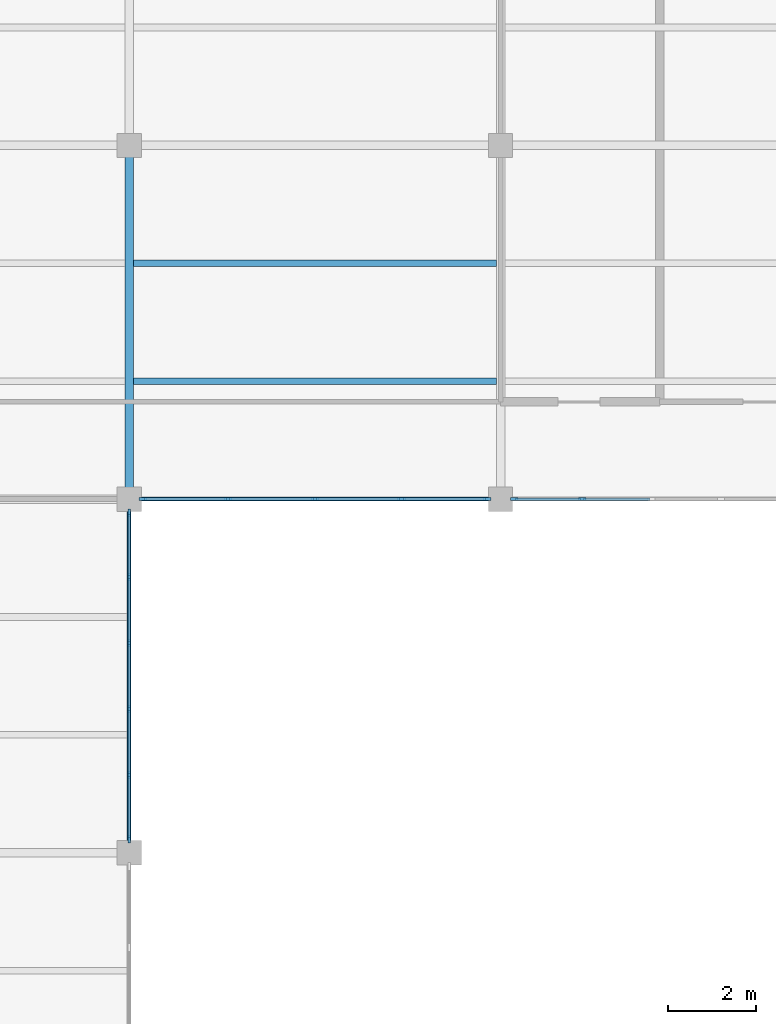
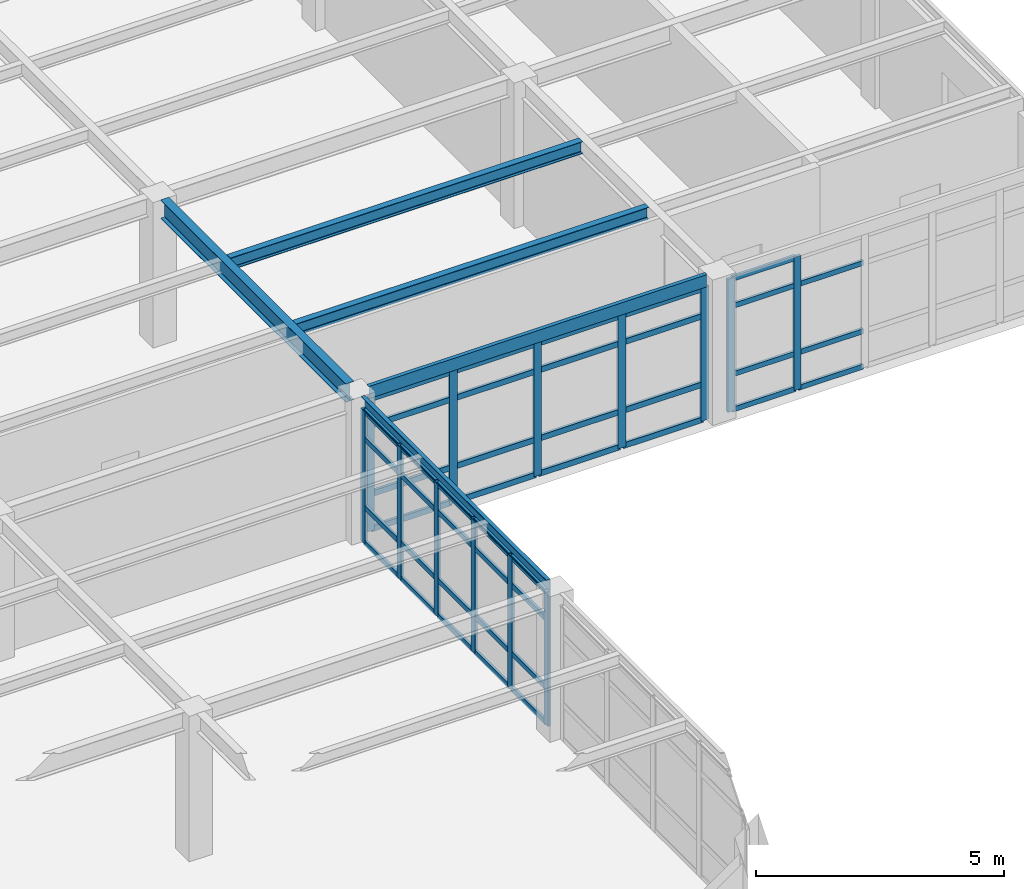
# One storey, part 19 of 53: 56 members, 5 beams, 3 elements without a shape of their own.
"""IFC4 building model written with IfcOpenShell, lengths in metres."""

from ifc_helpers import new_model, si_unit, direction, frame, origin, origin_2d, place, context, subcontext, project, spatial, rectangle, i_section, u_section, extrude, material, layer, layer_set, material_profile, profile_set, type_object, element, aggregate, save


model = new_model("IFC4")

# Units and contexts
model_context = context("Model", 3, precision=1e-05, world=origin(), true_north=direction((0.0, 1.0)))
body_context = subcontext(model_context, "Body", "Model", "MODEL_VIEW")
ifc_project = project(units=[si_unit("LENGTHUNIT", "METRE"), si_unit("AREAUNIT", "SQUARE_METRE"), si_unit("VOLUMEUNIT", "CUBIC_METRE"), si_unit("PLANEANGLEUNIT", "RADIAN"), si_unit("MASSUNIT", "GRAM", prefix="KILO")], contexts=[model_context])

# Site, building, storey
site_placement = place(None, origin())
site = spatial("IfcSite", under=ifc_project, at=site_placement, CompositionType="ELEMENT")
building_placement = place(site_placement, origin())
building = spatial("IfcBuilding", under=site, at=building_placement, Name="Kranzveld Transit Interchange", CompositionType="ELEMENT")
storey_placement = place(building_placement, frame((0.0, 0.0, 13.360107421875)))
storey = spatial("IfcBuildingStorey", under=building, at=storey_placement, Name="L03", CompositionType="ELEMENT", Elevation=13.360107421875)

# Beam
ifc_material_1 = material(Name="Steel S355JR", Category="steel")
ifc_material_profile_1 = material_profile(ifc_material_1, i_section(OverallWidth=0.18994140625, OverallDepth=0.453369140625, WebThickness=0.008544921875, FlangeThickness=0.0126953125, FilletRadius=0.01025390625, at=origin_2d()), Name="UB 457x191x67")
ifc_profile_set_1 = profile_set([ifc_material_profile_1], Name="Steel S355JR")
beam_type_1 = type_object("IfcBeamType", Name="Beam Steel UB 457x191x67 S355JR", PredefinedType="BEAM", material=ifc_profile_set_1)
beam_1_placement = place(storey_placement, frame((33.60009765625, 88.264892578125, 3.353271484375), z_axis=(0.0, 1.0, 0.0), x_axis=(-1.0, 0.0, 0.0)))
element("IfcBeam", 1, at=beam_1_placement, inside=storey, type_object=beam_type_1, Name="L03 Girder 05/M-N", PredefinedType="BEAM", context=body_context, shape_type="SweptSolid", body=[
    extrude(i_section(OverallWidth=0.18994140625, OverallDepth=0.453369140625, WebThickness=0.008544921875, FlangeThickness=0.0126953125, FilletRadius=0.01025390625, at=origin_2d()), origin(), (0.0, 0.0, 1.0), 7.47021484375),
])

# Curtain wall, members
ifc_material_2 = material(Name="Bronze-anodised thermally broken aluminium", Category="aluminium")
ifc_layer_1 = layer(ifc_material_2, 0.155029296875)
ifc_layer_set_1 = layer_set([ifc_layer_1], Name="Bronze-anodised thermally broken aluminium")
curtain_wall_type_1 = type_object("IfcCurtainWallType", Name="Operations Courtyard Glazed Screen CW-6", PredefinedType="USERDEFINED", material=ifc_layer_set_1)
curtain_wall_1_placement = place(storey_placement, origin())
curtain_wall_1 = element("IfcCurtainWall", 2, at=curtain_wall_1_placement, inside=storey, type_object=curtain_wall_type_1, Name="L03 Curtain Wall 06/M-07/M", ObjectType="CURTAIN WALL", PredefinedType="USERDEFINED")
ifc_material_3 = material(Name="Bronze-anodised thermally broken aluminium", Category="aluminium")
ifc_material_profile_2 = material_profile(ifc_material_3, rectangle(XDim=0.06494140625, YDim=0.1650390625, at=origin_2d()), Name="ALU MULLION 65x165")
ifc_profile_set_2 = profile_set([ifc_material_profile_2], Name="Bronze-anodised thermally broken aluminium")
member_type_1 = type_object("IfcMemberType", Name="Curtain Wall Mullion 65x165 Alu", PredefinedType="MULLION", material=ifc_profile_set_2)
member_1_placement = place(storey_placement, frame((42.3076171875, 88.0, 0.0), z_axis=(0.0, 0.0, 1.0), x_axis=(0.0, 1.0, 0.0)))
member_1 = element("IfcMember", 3, at=member_1_placement, type_object=member_type_1, Name="CW-6 mullion 1", PredefinedType="MULLION", context=body_context, shape_type="SweptSolid", body=[
    extrude(rectangle(XDim=0.06494140625, YDim=0.1650390625, at=origin_2d()), origin(), (0.0, 0.0, 1.0), 3.27978515625),
])
member_2_placement = place(storey_placement, frame((43.844970703125, 88.0, 0.0), z_axis=(0.0, 0.0, 1.0), x_axis=(0.0, 1.0, 0.0)))
member_2 = element("IfcMember", 4, at=member_2_placement, type_object=member_type_1, Name="CW-6 mullion 2", PredefinedType="MULLION", context=body_context, shape_type="SweptSolid", body=[
    extrude(rectangle(XDim=0.06494140625, YDim=0.1650390625, at=origin_2d()), origin(), (0.0, 0.0, 1.0), 3.27978515625),
])

ifc_material_4 = material(Name="Bronze-anodised thermally broken aluminium", Category="aluminium")
ifc_layer_2 = layer(ifc_material_4, 0.1650390625)
ifc_layer_set_2 = layer_set([ifc_layer_2], Name="Bronze-anodised thermally broken aluminium")
curtain_wall_type_2 = type_object("IfcCurtainWallType", Name="Sunny Court Arcade Curtain Wall CW-2", PredefinedType="USERDEFINED", material=ifc_layer_set_2)
curtain_wall_2_placement = place(storey_placement, origin())
curtain_wall_2 = element("IfcCurtainWall", 5, at=curtain_wall_2_placement, inside=storey, type_object=curtain_wall_type_2, Name="L03 Curtain Wall 05/L-05/M", ObjectType="CURTAIN WALL", PredefinedType="USERDEFINED")
member_3_placement = place(storey_placement, frame((33.60009765625, 80.3076171875, 0.0), z_axis=(0.0, 0.0, 1.0), x_axis=(-1.0, 0.0, 0.0)))
member_3 = element("IfcMember", 6, at=member_3_placement, type_object=member_type_1, Name="CW-2 mullion 1", PredefinedType="MULLION", context=body_context, shape_type="SweptSolid", body=[
    extrude(rectangle(XDim=0.06494140625, YDim=0.1650390625, at=origin_2d()), origin(), (0.0, 0.0, 1.0), 3.27978515625),
])
member_4_placement = place(storey_placement, frame((33.60009765625, 81.764892578125, 0.0), z_axis=(0.0, 0.0, 1.0), x_axis=(-1.0, 0.0, 0.0)))
member_4 = element("IfcMember", 7, at=member_4_placement, type_object=member_type_1, Name="CW-2 mullion 2", PredefinedType="MULLION", context=body_context, shape_type="SweptSolid", body=[
    extrude(rectangle(XDim=0.06494140625, YDim=0.1650390625, at=origin_2d()), origin(), (0.0, 0.0, 1.0), 3.27978515625),
])
member_5_placement = place(storey_placement, frame((33.60009765625, 83.2548828125, 0.0), z_axis=(0.0, 0.0, 1.0), x_axis=(-1.0, 0.0, 0.0)))
member_5 = element("IfcMember", 8, at=member_5_placement, type_object=member_type_1, Name="CW-2 mullion 3", PredefinedType="MULLION", context=body_context, shape_type="SweptSolid", body=[
    extrude(rectangle(XDim=0.06494140625, YDim=0.1650390625, at=origin_2d()), origin(), (0.0, 0.0, 1.0), 3.27978515625),
])
member_6_placement = place(storey_placement, frame((33.60009765625, 84.7451171875, 0.0), z_axis=(0.0, 0.0, 1.0), x_axis=(-1.0, 0.0, 0.0)))
member_6 = element("IfcMember", 9, at=member_6_placement, type_object=member_type_1, Name="CW-2 mullion 4", PredefinedType="MULLION", context=body_context, shape_type="SweptSolid", body=[
    extrude(rectangle(XDim=0.06494140625, YDim=0.1650390625, at=origin_2d()), origin(), (0.0, 0.0, 1.0), 3.27978515625),
])
member_7_placement = place(storey_placement, frame((33.60009765625, 86.235107421875, 0.0), z_axis=(0.0, 0.0, 1.0), x_axis=(-1.0, 0.0, 0.0)))
member_7 = element("IfcMember", 10, at=member_7_placement, type_object=member_type_1, Name="CW-2 mullion 5", PredefinedType="MULLION", context=body_context, shape_type="SweptSolid", body=[
    extrude(rectangle(XDim=0.06494140625, YDim=0.1650390625, at=origin_2d()), origin(), (0.0, 0.0, 1.0), 3.27978515625),
])
member_8_placement = place(storey_placement, frame((33.60009765625, 87.6923828125, 0.0), z_axis=(0.0, 0.0, 1.0), x_axis=(-1.0, 0.0, 0.0)))
member_8 = element("IfcMember", 11, at=member_8_placement, type_object=member_type_1, Name="CW-2 mullion 6", PredefinedType="MULLION", context=body_context, shape_type="SweptSolid", body=[
    extrude(rectangle(XDim=0.06494140625, YDim=0.1650390625, at=origin_2d()), origin(), (0.0, 0.0, 1.0), 3.27978515625),
])

ifc_material_5 = material(Name="Bronze-anodised thermally broken aluminium", Category="aluminium")
ifc_layer_3 = layer(ifc_material_5, 0.18505859375)
ifc_layer_set_3 = layer_set([ifc_layer_3], Name="Bronze-anodised thermally broken aluminium")
curtain_wall_type_3 = type_object("IfcCurtainWallType", Name="Control Crown Observation Facade CW-5", PredefinedType="USERDEFINED", material=ifc_layer_set_3)
curtain_wall_3_placement = place(storey_placement, origin())
curtain_wall_3 = element("IfcCurtainWall", 12, at=curtain_wall_3_placement, inside=storey, type_object=curtain_wall_type_3, Name="L03 Curtain Wall 05/M-06/M", ObjectType="CURTAIN WALL", PredefinedType="USERDEFINED")
ifc_material_6 = material(Name="Bronze-anodised thermally broken aluminium", Category="aluminium")
ifc_material_profile_3 = material_profile(ifc_material_6, rectangle(XDim=0.06494140625, YDim=0.179931640625, at=origin_2d()), Name="ALU MULLION 65x180")
ifc_profile_set_3 = profile_set([ifc_material_profile_3], Name="Bronze-anodised thermally broken aluminium")
member_type_2 = type_object("IfcMemberType", Name="Curtain Wall Mullion 65x180 Alu", PredefinedType="MULLION", material=ifc_profile_set_3)
member_9_placement = place(storey_placement, frame((33.907470703125, 88.0, 0.0), z_axis=(0.0, 0.0, 1.0), x_axis=(0.0, 1.0, 0.0)))
member_9 = element("IfcMember", 13, at=member_9_placement, type_object=member_type_2, Name="CW-5 mullion 1", PredefinedType="MULLION", context=body_context, shape_type="SweptSolid", body=[
    extrude(rectangle(XDim=0.06494140625, YDim=0.179931640625, at=origin_2d()), origin(), (0.0, 0.0, 1.0), 3.27978515625),
])
member_10_placement = place(storey_placement, frame((35.83740234375, 88.0, 0.0), z_axis=(0.0, 0.0, 1.0), x_axis=(0.0, 1.0, 0.0)))
member_10 = element("IfcMember", 14, at=member_10_placement, type_object=member_type_2, Name="CW-5 mullion 2", PredefinedType="MULLION", context=body_context, shape_type="SweptSolid", body=[
    extrude(rectangle(XDim=0.06494140625, YDim=0.179931640625, at=origin_2d()), origin(), (0.0, 0.0, 1.0), 3.27978515625),
])
member_11_placement = place(storey_placement, frame((37.800048828125, 88.0, 0.0), z_axis=(0.0, 0.0, 1.0), x_axis=(0.0, 1.0, 0.0)))
member_11 = element("IfcMember", 15, at=member_11_placement, type_object=member_type_2, Name="CW-5 mullion 3", PredefinedType="MULLION", context=body_context, shape_type="SweptSolid", body=[
    extrude(rectangle(XDim=0.06494140625, YDim=0.179931640625, at=origin_2d()), origin(), (0.0, 0.0, 1.0), 3.27978515625),
])
member_12_placement = place(storey_placement, frame((39.762451171875, 88.0, 0.0), z_axis=(0.0, 0.0, 1.0), x_axis=(0.0, 1.0, 0.0)))
member_12 = element("IfcMember", 16, at=member_12_placement, type_object=member_type_2, Name="CW-5 mullion 4", PredefinedType="MULLION", context=body_context, shape_type="SweptSolid", body=[
    extrude(rectangle(XDim=0.06494140625, YDim=0.179931640625, at=origin_2d()), origin(), (0.0, 0.0, 1.0), 3.27978515625),
])
member_13_placement = place(storey_placement, frame((41.6923828125, 88.0, 0.0), z_axis=(0.0, 0.0, 1.0), x_axis=(0.0, 1.0, 0.0)))
member_13 = element("IfcMember", 17, at=member_13_placement, type_object=member_type_2, Name="CW-5 mullion 5", PredefinedType="MULLION", context=body_context, shape_type="SweptSolid", body=[
    extrude(rectangle(XDim=0.06494140625, YDim=0.179931640625, at=origin_2d()), origin(), (0.0, 0.0, 1.0), 3.27978515625),
])

# Member
ifc_material_7 = material(Name="Bronze-anodised thermally broken aluminium", Category="aluminium")
ifc_material_profile_4 = material_profile(ifc_material_7, rectangle(XDim=0.06005859375, YDim=0.125, at=origin_2d()), Name="ALU TRANSOM 60x125")
ifc_profile_set_4 = profile_set([ifc_material_profile_4], Name="Bronze-anodised thermally broken aluminium")
member_type_3 = type_object("IfcMemberType", Name="Curtain Wall Transom 60x125 Alu", PredefinedType="USERDEFINED", material=ifc_profile_set_4)
member_14_placement = place(storey_placement, frame((42.340087890625, 88.0, 0.02978515625), z_axis=(1.0, 0.0, 0.0), x_axis=(0.0, 1.0, 0.0)))
member_14 = element("IfcMember", 18, at=member_14_placement, type_object=member_type_3, Name="CW-6 transom 1.1", ObjectType="TRANSOM", PredefinedType="USERDEFINED", context=body_context, shape_type="SweptSolid", body=[
    extrude(rectangle(XDim=0.06005859375, YDim=0.125, at=origin_2d()), origin(), (0.0, 0.0, 1.0), 1.472412109375),
])

member_15_placement = place(storey_placement, frame((42.340087890625, 88.0, 0.89990234375), z_axis=(1.0, 0.0, 0.0), x_axis=(0.0, 1.0, 0.0)))
member_15 = element("IfcMember", 19, at=member_15_placement, type_object=member_type_3, Name="CW-6 transom 1.2", ObjectType="TRANSOM", PredefinedType="USERDEFINED", context=body_context, shape_type="SweptSolid", body=[
    extrude(rectangle(XDim=0.06005859375, YDim=0.125, at=origin_2d()), origin(), (0.0, 0.0, 1.0), 1.472412109375),
])

member_16_placement = place(storey_placement, frame((42.340087890625, 88.0, 2.579833984375), z_axis=(1.0, 0.0, 0.0), x_axis=(0.0, 1.0, 0.0)))
member_16 = element("IfcMember", 20, at=member_16_placement, type_object=member_type_3, Name="CW-6 transom 1.3", ObjectType="TRANSOM", PredefinedType="USERDEFINED", context=body_context, shape_type="SweptSolid", body=[
    extrude(rectangle(XDim=0.06005859375, YDim=0.125, at=origin_2d()), origin(), (0.0, 0.0, 1.0), 1.472412109375),
])

member_17_placement = place(storey_placement, frame((42.340087890625, 88.0, 3.25), z_axis=(1.0, 0.0, 0.0), x_axis=(0.0, 1.0, 0.0)))
member_17 = element("IfcMember", 21, at=member_17_placement, type_object=member_type_3, Name="CW-6 transom 1.4", ObjectType="TRANSOM", PredefinedType="USERDEFINED", context=body_context, shape_type="SweptSolid", body=[
    extrude(rectangle(XDim=0.06005859375, YDim=0.125, at=origin_2d()), origin(), (0.0, 0.0, 1.0), 1.472412109375),
])

member_18_placement = place(storey_placement, frame((43.87744140625, 88.0, 0.02978515625), z_axis=(1.0, 0.0, 0.0), x_axis=(0.0, 1.0, 0.0)))
member_18 = element("IfcMember", 22, at=member_18_placement, type_object=member_type_3, Name="CW-6 transom 2.1", ObjectType="TRANSOM", PredefinedType="USERDEFINED", context=body_context, shape_type="SweptSolid", body=[
    extrude(rectangle(XDim=0.06005859375, YDim=0.125, at=origin_2d()), origin(), (0.0, 0.0, 1.0), 1.505126953125),
])

member_19_placement = place(storey_placement, frame((43.87744140625, 88.0, 0.89990234375), z_axis=(1.0, 0.0, 0.0), x_axis=(0.0, 1.0, 0.0)))
member_19 = element("IfcMember", 23, at=member_19_placement, type_object=member_type_3, Name="CW-6 transom 2.2", ObjectType="TRANSOM", PredefinedType="USERDEFINED", context=body_context, shape_type="SweptSolid", body=[
    extrude(rectangle(XDim=0.06005859375, YDim=0.125, at=origin_2d()), origin(), (0.0, 0.0, 1.0), 1.505126953125),
])

member_20_placement = place(storey_placement, frame((43.87744140625, 88.0, 2.579833984375), z_axis=(1.0, 0.0, 0.0), x_axis=(0.0, 1.0, 0.0)))
member_20 = element("IfcMember", 24, at=member_20_placement, type_object=member_type_3, Name="CW-6 transom 2.3", ObjectType="TRANSOM", PredefinedType="USERDEFINED", context=body_context, shape_type="SweptSolid", body=[
    extrude(rectangle(XDim=0.06005859375, YDim=0.125, at=origin_2d()), origin(), (0.0, 0.0, 1.0), 1.505126953125),
])

aggregate(curtain_wall_1, [member_1, member_2, member_14, member_15, member_16, member_17, member_18, member_19, member_20])

member_21_placement = place(storey_placement, frame((33.60009765625, 80.340087890625, 0.02978515625), z_axis=(0.0, 1.0, 0.0), x_axis=(-1.0, 0.0, 0.0)))
member_21 = element("IfcMember", 25, at=member_21_placement, type_object=member_type_3, Name="CW-2 transom 1.1", ObjectType="TRANSOM", PredefinedType="USERDEFINED", context=body_context, shape_type="SweptSolid", body=[
    extrude(rectangle(XDim=0.06005859375, YDim=0.125, at=origin_2d()), origin(), (0.0, 0.0, 1.0), 1.392333984375),
])

member_22_placement = place(storey_placement, frame((33.60009765625, 80.340087890625, 0.89990234375), z_axis=(0.0, 1.0, 0.0), x_axis=(-1.0, 0.0, 0.0)))
member_22 = element("IfcMember", 26, at=member_22_placement, type_object=member_type_3, Name="CW-2 transom 1.2", ObjectType="TRANSOM", PredefinedType="USERDEFINED", context=body_context, shape_type="SweptSolid", body=[
    extrude(rectangle(XDim=0.06005859375, YDim=0.125, at=origin_2d()), origin(), (0.0, 0.0, 1.0), 1.392333984375),
])

member_23_placement = place(storey_placement, frame((33.60009765625, 80.340087890625, 2.579833984375), z_axis=(0.0, 1.0, 0.0), x_axis=(-1.0, 0.0, 0.0)))
member_23 = element("IfcMember", 27, at=member_23_placement, type_object=member_type_3, Name="CW-2 transom 1.3", ObjectType="TRANSOM", PredefinedType="USERDEFINED", context=body_context, shape_type="SweptSolid", body=[
    extrude(rectangle(XDim=0.06005859375, YDim=0.125, at=origin_2d()), origin(), (0.0, 0.0, 1.0), 1.392333984375),
])

member_24_placement = place(storey_placement, frame((33.60009765625, 80.340087890625, 3.25), z_axis=(0.0, 1.0, 0.0), x_axis=(-1.0, 0.0, 0.0)))
member_24 = element("IfcMember", 28, at=member_24_placement, type_object=member_type_3, Name="CW-2 transom 1.4", ObjectType="TRANSOM", PredefinedType="USERDEFINED", context=body_context, shape_type="SweptSolid", body=[
    extrude(rectangle(XDim=0.06005859375, YDim=0.125, at=origin_2d()), origin(), (0.0, 0.0, 1.0), 1.392333984375),
])

member_25_placement = place(storey_placement, frame((33.60009765625, 81.797607421875, 0.02978515625), z_axis=(0.0, 1.0, 0.0), x_axis=(-1.0, 0.0, 0.0)))
member_25 = element("IfcMember", 29, at=member_25_placement, type_object=member_type_3, Name="CW-2 transom 2.1", ObjectType="TRANSOM", PredefinedType="USERDEFINED", context=body_context, shape_type="SweptSolid", body=[
    extrude(rectangle(XDim=0.06005859375, YDim=0.125, at=origin_2d()), origin(), (0.0, 0.0, 1.0), 1.4248046875),
])

member_26_placement = place(storey_placement, frame((33.60009765625, 81.797607421875, 0.89990234375), z_axis=(0.0, 1.0, 0.0), x_axis=(-1.0, 0.0, 0.0)))
member_26 = element("IfcMember", 30, at=member_26_placement, type_object=member_type_3, Name="CW-2 transom 2.2", ObjectType="TRANSOM", PredefinedType="USERDEFINED", context=body_context, shape_type="SweptSolid", body=[
    extrude(rectangle(XDim=0.06005859375, YDim=0.125, at=origin_2d()), origin(), (0.0, 0.0, 1.0), 1.4248046875),
])

member_27_placement = place(storey_placement, frame((33.60009765625, 81.797607421875, 2.579833984375), z_axis=(0.0, 1.0, 0.0), x_axis=(-1.0, 0.0, 0.0)))
member_27 = element("IfcMember", 31, at=member_27_placement, type_object=member_type_3, Name="CW-2 transom 2.3", ObjectType="TRANSOM", PredefinedType="USERDEFINED", context=body_context, shape_type="SweptSolid", body=[
    extrude(rectangle(XDim=0.06005859375, YDim=0.125, at=origin_2d()), origin(), (0.0, 0.0, 1.0), 1.4248046875),
])

member_28_placement = place(storey_placement, frame((33.60009765625, 81.797607421875, 3.25), z_axis=(0.0, 1.0, 0.0), x_axis=(-1.0, 0.0, 0.0)))
member_28 = element("IfcMember", 32, at=member_28_placement, type_object=member_type_3, Name="CW-2 transom 2.4", ObjectType="TRANSOM", PredefinedType="USERDEFINED", context=body_context, shape_type="SweptSolid", body=[
    extrude(rectangle(XDim=0.06005859375, YDim=0.125, at=origin_2d()), origin(), (0.0, 0.0, 1.0), 1.4248046875),
])

member_29_placement = place(storey_placement, frame((33.60009765625, 83.28759765625, 0.02978515625), z_axis=(0.0, 1.0, 0.0), x_axis=(-1.0, 0.0, 0.0)))
member_29 = element("IfcMember", 33, at=member_29_placement, type_object=member_type_3, Name="CW-2 transom 3.1", ObjectType="TRANSOM", PredefinedType="USERDEFINED", context=body_context, shape_type="SweptSolid", body=[
    extrude(rectangle(XDim=0.06005859375, YDim=0.125, at=origin_2d()), origin(), (0.0, 0.0, 1.0), 1.4248046875),
])

member_30_placement = place(storey_placement, frame((33.60009765625, 83.28759765625, 0.89990234375), z_axis=(0.0, 1.0, 0.0), x_axis=(-1.0, 0.0, 0.0)))
member_30 = element("IfcMember", 34, at=member_30_placement, type_object=member_type_3, Name="CW-2 transom 3.2", ObjectType="TRANSOM", PredefinedType="USERDEFINED", context=body_context, shape_type="SweptSolid", body=[
    extrude(rectangle(XDim=0.06005859375, YDim=0.125, at=origin_2d()), origin(), (0.0, 0.0, 1.0), 1.4248046875),
])

member_31_placement = place(storey_placement, frame((33.60009765625, 83.28759765625, 2.579833984375), z_axis=(0.0, 1.0, 0.0), x_axis=(-1.0, 0.0, 0.0)))
member_31 = element("IfcMember", 35, at=member_31_placement, type_object=member_type_3, Name="CW-2 transom 3.3", ObjectType="TRANSOM", PredefinedType="USERDEFINED", context=body_context, shape_type="SweptSolid", body=[
    extrude(rectangle(XDim=0.06005859375, YDim=0.125, at=origin_2d()), origin(), (0.0, 0.0, 1.0), 1.4248046875),
])

member_32_placement = place(storey_placement, frame((33.60009765625, 83.28759765625, 3.25), z_axis=(0.0, 1.0, 0.0), x_axis=(-1.0, 0.0, 0.0)))
member_32 = element("IfcMember", 36, at=member_32_placement, type_object=member_type_3, Name="CW-2 transom 3.4", ObjectType="TRANSOM", PredefinedType="USERDEFINED", context=body_context, shape_type="SweptSolid", body=[
    extrude(rectangle(XDim=0.06005859375, YDim=0.125, at=origin_2d()), origin(), (0.0, 0.0, 1.0), 1.4248046875),
])

member_33_placement = place(storey_placement, frame((33.60009765625, 84.777587890625, 0.02978515625), z_axis=(0.0, 1.0, 0.0), x_axis=(-1.0, 0.0, 0.0)))
member_33 = element("IfcMember", 37, at=member_33_placement, type_object=member_type_3, Name="CW-2 transom 4.1", ObjectType="TRANSOM", PredefinedType="USERDEFINED", context=body_context, shape_type="SweptSolid", body=[
    extrude(rectangle(XDim=0.06005859375, YDim=0.125, at=origin_2d()), origin(), (0.0, 0.0, 1.0), 1.4248046875),
])

member_34_placement = place(storey_placement, frame((33.60009765625, 84.777587890625, 0.89990234375), z_axis=(0.0, 1.0, 0.0), x_axis=(-1.0, 0.0, 0.0)))
member_34 = element("IfcMember", 38, at=member_34_placement, type_object=member_type_3, Name="CW-2 transom 4.2", ObjectType="TRANSOM", PredefinedType="USERDEFINED", context=body_context, shape_type="SweptSolid", body=[
    extrude(rectangle(XDim=0.06005859375, YDim=0.125, at=origin_2d()), origin(), (0.0, 0.0, 1.0), 1.4248046875),
])

member_35_placement = place(storey_placement, frame((33.60009765625, 84.777587890625, 2.579833984375), z_axis=(0.0, 1.0, 0.0), x_axis=(-1.0, 0.0, 0.0)))
member_35 = element("IfcMember", 39, at=member_35_placement, type_object=member_type_3, Name="CW-2 transom 4.3", ObjectType="TRANSOM", PredefinedType="USERDEFINED", context=body_context, shape_type="SweptSolid", body=[
    extrude(rectangle(XDim=0.06005859375, YDim=0.125, at=origin_2d()), origin(), (0.0, 0.0, 1.0), 1.4248046875),
])

member_36_placement = place(storey_placement, frame((33.60009765625, 84.777587890625, 3.25), z_axis=(0.0, 1.0, 0.0), x_axis=(-1.0, 0.0, 0.0)))
member_36 = element("IfcMember", 40, at=member_36_placement, type_object=member_type_3, Name="CW-2 transom 4.4", ObjectType="TRANSOM", PredefinedType="USERDEFINED", context=body_context, shape_type="SweptSolid", body=[
    extrude(rectangle(XDim=0.06005859375, YDim=0.125, at=origin_2d()), origin(), (0.0, 0.0, 1.0), 1.4248046875),
])

member_37_placement = place(storey_placement, frame((33.60009765625, 86.267578125, 0.02978515625), z_axis=(0.0, 1.0, 0.0), x_axis=(-1.0, 0.0, 0.0)))
member_37 = element("IfcMember", 41, at=member_37_placement, type_object=member_type_3, Name="CW-2 transom 5.1", ObjectType="TRANSOM", PredefinedType="USERDEFINED", context=body_context, shape_type="SweptSolid", body=[
    extrude(rectangle(XDim=0.06005859375, YDim=0.125, at=origin_2d()), origin(), (0.0, 0.0, 1.0), 1.392333984375),
])

member_38_placement = place(storey_placement, frame((33.60009765625, 86.267578125, 0.89990234375), z_axis=(0.0, 1.0, 0.0), x_axis=(-1.0, 0.0, 0.0)))
member_38 = element("IfcMember", 42, at=member_38_placement, type_object=member_type_3, Name="CW-2 transom 5.2", ObjectType="TRANSOM", PredefinedType="USERDEFINED", context=body_context, shape_type="SweptSolid", body=[
    extrude(rectangle(XDim=0.06005859375, YDim=0.125, at=origin_2d()), origin(), (0.0, 0.0, 1.0), 1.392333984375),
])

member_39_placement = place(storey_placement, frame((33.60009765625, 86.267578125, 2.579833984375), z_axis=(0.0, 1.0, 0.0), x_axis=(-1.0, 0.0, 0.0)))
member_39 = element("IfcMember", 43, at=member_39_placement, type_object=member_type_3, Name="CW-2 transom 5.3", ObjectType="TRANSOM", PredefinedType="USERDEFINED", context=body_context, shape_type="SweptSolid", body=[
    extrude(rectangle(XDim=0.06005859375, YDim=0.125, at=origin_2d()), origin(), (0.0, 0.0, 1.0), 1.392333984375),
])

member_40_placement = place(storey_placement, frame((33.60009765625, 86.267578125, 3.25), z_axis=(0.0, 1.0, 0.0), x_axis=(-1.0, 0.0, 0.0)))
member_40 = element("IfcMember", 44, at=member_40_placement, type_object=member_type_3, Name="CW-2 transom 5.4", ObjectType="TRANSOM", PredefinedType="USERDEFINED", context=body_context, shape_type="SweptSolid", body=[
    extrude(rectangle(XDim=0.06005859375, YDim=0.125, at=origin_2d()), origin(), (0.0, 0.0, 1.0), 1.392333984375),
])

aggregate(curtain_wall_2, [member_3, member_4, member_5, member_6, member_7, member_8, member_21, member_22, member_23, member_24, member_25, member_26, member_27, member_28, member_29, member_30, member_31, member_32, member_33, member_34, member_35, member_36, member_37, member_38, member_39, member_40])

ifc_material_8 = material(Name="Bronze-anodised thermally broken aluminium", Category="aluminium")
ifc_material_profile_5 = material_profile(ifc_material_8, rectangle(XDim=0.06494140625, YDim=0.139892578125, at=origin_2d()), Name="ALU TRANSOM 65x140")
ifc_profile_set_5 = profile_set([ifc_material_profile_5], Name="Bronze-anodised thermally broken aluminium")
member_type_4 = type_object("IfcMemberType", Name="Curtain Wall Transom 65x140 Alu", PredefinedType="USERDEFINED", material=ifc_profile_set_5)
member_41_placement = place(storey_placement, frame((33.93994140625, 88.0, 0.032470703125), z_axis=(1.0, 0.0, 0.0), x_axis=(0.0, 1.0, 0.0)))
member_41 = element("IfcMember", 45, at=member_41_placement, type_object=member_type_4, Name="CW-5 transom 1.1", ObjectType="TRANSOM", PredefinedType="USERDEFINED", context=body_context, shape_type="SweptSolid", body=[
    extrude(rectangle(XDim=0.06494140625, YDim=0.139892578125, at=origin_2d()), origin(), (0.0, 0.0, 1.0), 1.864990234375),
])

member_42_placement = place(storey_placement, frame((33.93994140625, 88.0, 0.89990234375), z_axis=(1.0, 0.0, 0.0), x_axis=(0.0, 1.0, 0.0)))
member_42 = element("IfcMember", 46, at=member_42_placement, type_object=member_type_4, Name="CW-5 transom 1.2", ObjectType="TRANSOM", PredefinedType="USERDEFINED", context=body_context, shape_type="SweptSolid", body=[
    extrude(rectangle(XDim=0.06494140625, YDim=0.139892578125, at=origin_2d()), origin(), (0.0, 0.0, 1.0), 1.864990234375),
])

member_43_placement = place(storey_placement, frame((33.93994140625, 88.0, 2.579833984375), z_axis=(1.0, 0.0, 0.0), x_axis=(0.0, 1.0, 0.0)))
member_43 = element("IfcMember", 47, at=member_43_placement, type_object=member_type_4, Name="CW-5 transom 1.3", ObjectType="TRANSOM", PredefinedType="USERDEFINED", context=body_context, shape_type="SweptSolid", body=[
    extrude(rectangle(XDim=0.06494140625, YDim=0.139892578125, at=origin_2d()), origin(), (0.0, 0.0, 1.0), 1.864990234375),
])

member_44_placement = place(storey_placement, frame((33.93994140625, 88.0, 3.247314453125), z_axis=(1.0, 0.0, 0.0), x_axis=(0.0, 1.0, 0.0)))
member_44 = element("IfcMember", 48, at=member_44_placement, type_object=member_type_4, Name="CW-5 transom 1.4", ObjectType="TRANSOM", PredefinedType="USERDEFINED", context=body_context, shape_type="SweptSolid", body=[
    extrude(rectangle(XDim=0.06494140625, YDim=0.139892578125, at=origin_2d()), origin(), (0.0, 0.0, 1.0), 1.864990234375),
])

member_45_placement = place(storey_placement, frame((35.8701171875, 88.0, 0.032470703125), z_axis=(1.0, 0.0, 0.0), x_axis=(0.0, 1.0, 0.0)))
member_45 = element("IfcMember", 49, at=member_45_placement, type_object=member_type_4, Name="CW-5 transom 2.1", ObjectType="TRANSOM", PredefinedType="USERDEFINED", context=body_context, shape_type="SweptSolid", body=[
    extrude(rectangle(XDim=0.06494140625, YDim=0.139892578125, at=origin_2d()), origin(), (0.0, 0.0, 1.0), 1.8974609375),
])

member_46_placement = place(storey_placement, frame((35.8701171875, 88.0, 0.89990234375), z_axis=(1.0, 0.0, 0.0), x_axis=(0.0, 1.0, 0.0)))
member_46 = element("IfcMember", 50, at=member_46_placement, type_object=member_type_4, Name="CW-5 transom 2.2", ObjectType="TRANSOM", PredefinedType="USERDEFINED", context=body_context, shape_type="SweptSolid", body=[
    extrude(rectangle(XDim=0.06494140625, YDim=0.139892578125, at=origin_2d()), origin(), (0.0, 0.0, 1.0), 1.8974609375),
])

member_47_placement = place(storey_placement, frame((35.8701171875, 88.0, 2.579833984375), z_axis=(1.0, 0.0, 0.0), x_axis=(0.0, 1.0, 0.0)))
member_47 = element("IfcMember", 51, at=member_47_placement, type_object=member_type_4, Name="CW-5 transom 2.3", ObjectType="TRANSOM", PredefinedType="USERDEFINED", context=body_context, shape_type="SweptSolid", body=[
    extrude(rectangle(XDim=0.06494140625, YDim=0.139892578125, at=origin_2d()), origin(), (0.0, 0.0, 1.0), 1.8974609375),
])

member_48_placement = place(storey_placement, frame((35.8701171875, 88.0, 3.247314453125), z_axis=(1.0, 0.0, 0.0), x_axis=(0.0, 1.0, 0.0)))
member_48 = element("IfcMember", 52, at=member_48_placement, type_object=member_type_4, Name="CW-5 transom 2.4", ObjectType="TRANSOM", PredefinedType="USERDEFINED", context=body_context, shape_type="SweptSolid", body=[
    extrude(rectangle(XDim=0.06494140625, YDim=0.139892578125, at=origin_2d()), origin(), (0.0, 0.0, 1.0), 1.8974609375),
])

member_49_placement = place(storey_placement, frame((37.83251953125, 88.0, 0.032470703125), z_axis=(1.0, 0.0, 0.0), x_axis=(0.0, 1.0, 0.0)))
member_49 = element("IfcMember", 53, at=member_49_placement, type_object=member_type_4, Name="CW-5 transom 3.1", ObjectType="TRANSOM", PredefinedType="USERDEFINED", context=body_context, shape_type="SweptSolid", body=[
    extrude(rectangle(XDim=0.06494140625, YDim=0.139892578125, at=origin_2d()), origin(), (0.0, 0.0, 1.0), 1.8974609375),
])

member_50_placement = place(storey_placement, frame((37.83251953125, 88.0, 0.89990234375), z_axis=(1.0, 0.0, 0.0), x_axis=(0.0, 1.0, 0.0)))
member_50 = element("IfcMember", 54, at=member_50_placement, type_object=member_type_4, Name="CW-5 transom 3.2", ObjectType="TRANSOM", PredefinedType="USERDEFINED", context=body_context, shape_type="SweptSolid", body=[
    extrude(rectangle(XDim=0.06494140625, YDim=0.139892578125, at=origin_2d()), origin(), (0.0, 0.0, 1.0), 1.8974609375),
])

member_51_placement = place(storey_placement, frame((37.83251953125, 88.0, 2.579833984375), z_axis=(1.0, 0.0, 0.0), x_axis=(0.0, 1.0, 0.0)))
member_51 = element("IfcMember", 55, at=member_51_placement, type_object=member_type_4, Name="CW-5 transom 3.3", ObjectType="TRANSOM", PredefinedType="USERDEFINED", context=body_context, shape_type="SweptSolid", body=[
    extrude(rectangle(XDim=0.06494140625, YDim=0.139892578125, at=origin_2d()), origin(), (0.0, 0.0, 1.0), 1.8974609375),
])

member_52_placement = place(storey_placement, frame((37.83251953125, 88.0, 3.247314453125), z_axis=(1.0, 0.0, 0.0), x_axis=(0.0, 1.0, 0.0)))
member_52 = element("IfcMember", 56, at=member_52_placement, type_object=member_type_4, Name="CW-5 transom 3.4", ObjectType="TRANSOM", PredefinedType="USERDEFINED", context=body_context, shape_type="SweptSolid", body=[
    extrude(rectangle(XDim=0.06494140625, YDim=0.139892578125, at=origin_2d()), origin(), (0.0, 0.0, 1.0), 1.8974609375),
])

member_53_placement = place(storey_placement, frame((39.794921875, 88.0, 0.032470703125), z_axis=(1.0, 0.0, 0.0), x_axis=(0.0, 1.0, 0.0)))
member_53 = element("IfcMember", 57, at=member_53_placement, type_object=member_type_4, Name="CW-5 transom 4.1", ObjectType="TRANSOM", PredefinedType="USERDEFINED", context=body_context, shape_type="SweptSolid", body=[
    extrude(rectangle(XDim=0.06494140625, YDim=0.139892578125, at=origin_2d()), origin(), (0.0, 0.0, 1.0), 1.864990234375),
])

member_54_placement = place(storey_placement, frame((39.794921875, 88.0, 0.89990234375), z_axis=(1.0, 0.0, 0.0), x_axis=(0.0, 1.0, 0.0)))
member_54 = element("IfcMember", 58, at=member_54_placement, type_object=member_type_4, Name="CW-5 transom 4.2", ObjectType="TRANSOM", PredefinedType="USERDEFINED", context=body_context, shape_type="SweptSolid", body=[
    extrude(rectangle(XDim=0.06494140625, YDim=0.139892578125, at=origin_2d()), origin(), (0.0, 0.0, 1.0), 1.864990234375),
])

member_55_placement = place(storey_placement, frame((39.794921875, 88.0, 2.579833984375), z_axis=(1.0, 0.0, 0.0), x_axis=(0.0, 1.0, 0.0)))
member_55 = element("IfcMember", 59, at=member_55_placement, type_object=member_type_4, Name="CW-5 transom 4.3", ObjectType="TRANSOM", PredefinedType="USERDEFINED", context=body_context, shape_type="SweptSolid", body=[
    extrude(rectangle(XDim=0.06494140625, YDim=0.139892578125, at=origin_2d()), origin(), (0.0, 0.0, 1.0), 1.864990234375),
])

member_56_placement = place(storey_placement, frame((39.794921875, 88.0, 3.247314453125), z_axis=(1.0, 0.0, 0.0), x_axis=(0.0, 1.0, 0.0)))
member_56 = element("IfcMember", 60, at=member_56_placement, type_object=member_type_4, Name="CW-5 transom 4.4", ObjectType="TRANSOM", PredefinedType="USERDEFINED", context=body_context, shape_type="SweptSolid", body=[
    extrude(rectangle(XDim=0.06494140625, YDim=0.139892578125, at=origin_2d()), origin(), (0.0, 0.0, 1.0), 1.864990234375),
])

aggregate(curtain_wall_3, [member_9, member_10, member_11, member_12, member_13, member_41, member_42, member_43, member_44, member_45, member_46, member_47, member_48, member_49, member_50, member_51, member_52, member_53, member_54, member_55, member_56])

# Beams
ifc_material_9 = material(Name="Steel S355JR", Category="steel")
ifc_material_profile_6 = material_profile(ifc_material_9, i_section(OverallWidth=0.14990234375, OverallDepth=0.300048828125, WebThickness=0.007080078125, FlangeThickness=0.0107421875, FilletRadius=0.014892578125, at=origin_2d()), Name="IPE 300")
ifc_profile_set_6 = profile_set([ifc_material_profile_6], Name="Steel S355JR")
beam_type_2 = type_object("IfcBeamType", Name="Deck Joist IPE 300 S355JR", PredefinedType="JOIST", material=ifc_profile_set_6)
for number, where, z_axis, x_axis, name in (
    (61, (33.697021484375, 90.666748046875, 3.429931640625), (1.0, 0.0, 0.0), (0.0, 1.0, 0.0), "L03 Secondary Joist 05-06/M.1"),
    (62, (33.697021484375, 93.333251953125, 3.429931640625), (1.0, 0.0, 0.0), (0.0, 1.0, 0.0), "L03 Secondary Joist 05-06/M.2"),
):
    element("IfcBeam", number, at=place(storey_placement, frame(where, z_axis=z_axis, x_axis=x_axis)), inside=storey, type_object=beam_type_2, Name=name, PredefinedType="JOIST", context=body_context, shape_type="SweptSolid", body=[
        extrude(i_section(OverallWidth=0.14990234375, OverallDepth=0.300048828125, WebThickness=0.007080078125, FlangeThickness=0.0107421875, FilletRadius=0.014892578125, at=origin_2d()), origin(), (0.0, 0.0, 1.0), 8.2060546875),
    ])
ifc_material_10 = material(Name="Steel S355JR", Category="steel")
ifc_material_profile_7 = material_profile(ifc_material_10, u_section(Depth=0.300048828125, FlangeWidth=0.090087890625, WebThickness=0.009033203125, FlangeThickness=0.015380859375, FilletRadius=0.011962890625, at=origin_2d()), Name="PFC 300x90x41")
ifc_profile_set_7 = profile_set([ifc_material_profile_7], Name="Steel S355JR")
beam_type_3 = type_object("IfcBeamType", Name="Edge Spandrel PFC 300x90x41 S355JR", PredefinedType="SPANDREL", material=ifc_profile_set_7)
beam_2_placement = place(storey_placement, frame((33.864990234375, 88.0, 3.429931640625), z_axis=(1.0, 0.0, 0.0), x_axis=(0.0, 1.0, 0.0)))
element("IfcBeam", 63, at=beam_2_placement, inside=storey, type_object=beam_type_3, Name="L03 Girder 05-06/M", PredefinedType="SPANDREL", context=body_context, shape_type="SweptSolid", body=[
    extrude(u_section(Depth=0.300048828125, FlangeWidth=0.090087890625, WebThickness=0.009033203125, FlangeThickness=0.015380859375, FilletRadius=0.011962890625, at=origin_2d()), origin(), (0.0, 0.0, 1.0), 7.8701171875),
])
beam_3_placement = place(storey_placement, frame((33.60009765625, 80.264892578125, 3.429931640625), z_axis=(0.0, 1.0, 0.0), x_axis=(-1.0, 0.0, 0.0)))
element("IfcBeam", 64, at=beam_3_placement, inside=storey, type_object=beam_type_3, Name="L03 Girder 05/L-M", PredefinedType="SPANDREL", context=body_context, shape_type="SweptSolid", body=[
    extrude(u_section(Depth=0.300048828125, FlangeWidth=0.090087890625, WebThickness=0.009033203125, FlangeThickness=0.015380859375, FilletRadius=0.011962890625, at=origin_2d()), origin(), (0.0, 0.0, 1.0), 7.47021484375),
])

save(model, "model.ifc")
